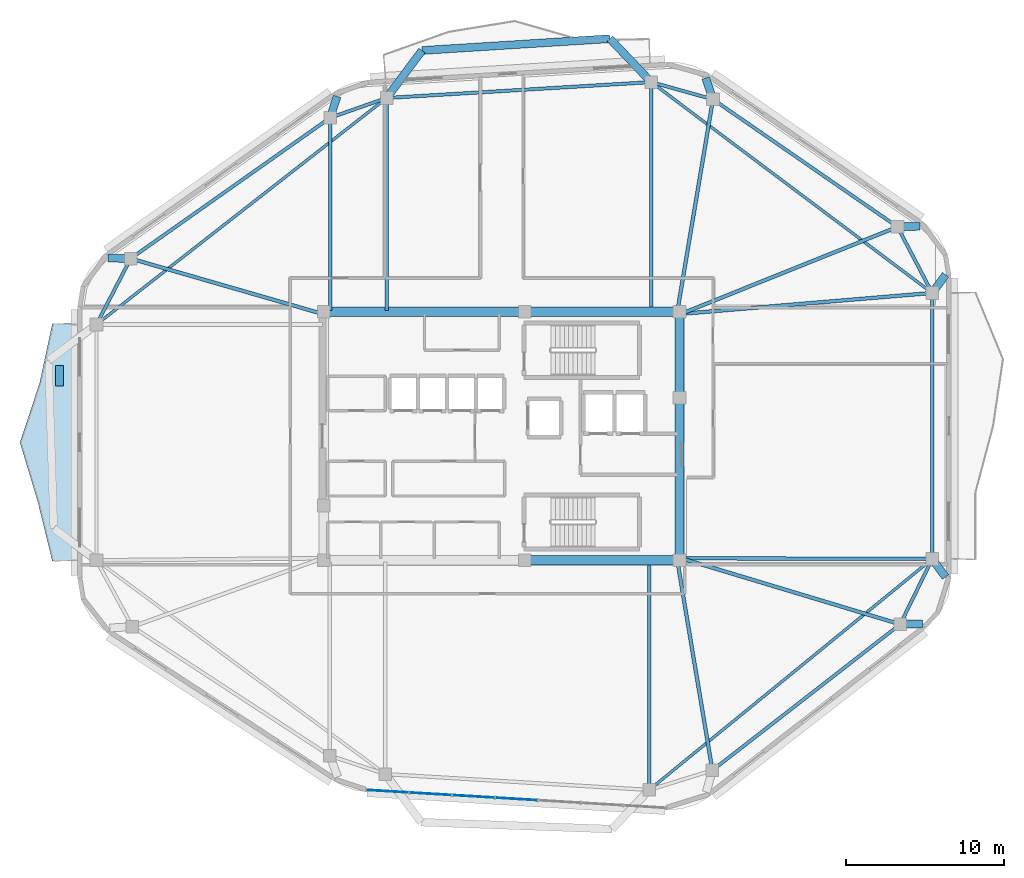
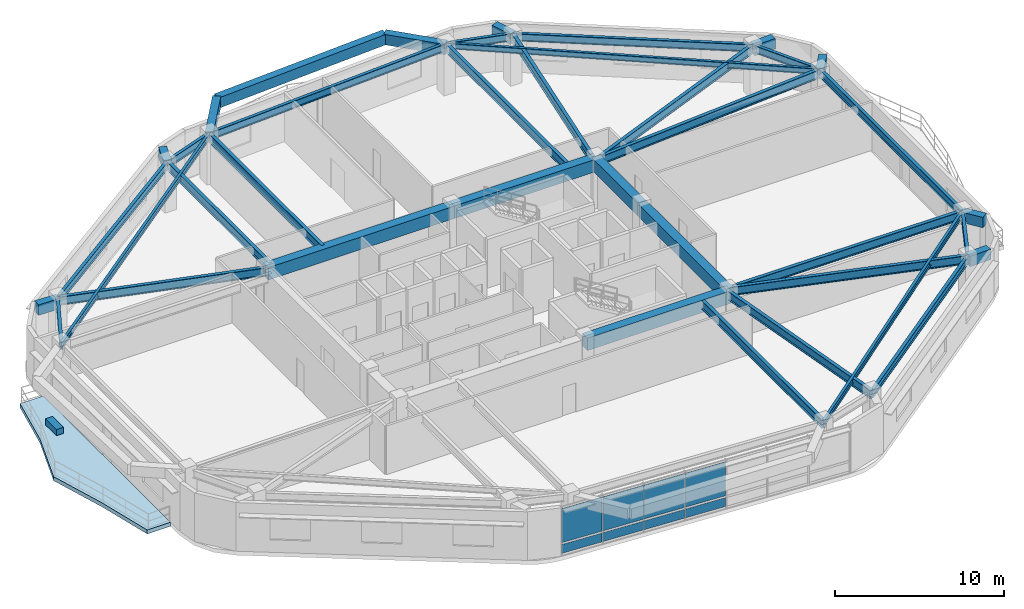
# One storey, part 5 of 12: 39 beams, 9 plates, 1 slab, 1 element without a shape of its own.
"""IFC4 building model written with IfcOpenShell, lengths in metres."""

import ifcopenshell
import ifcopenshell.guid

model = None  # the IFC model being written
_history = None  # IfcOwnerHistory: only IFC2X3 demands one
_inside = {}  # id of a spatial element -> (the spatial element, [elements in it])
_under = {}  # id of a project, library or spatial element -> (it, [spatial elements below it])
_declared = {}  # id of a project -> (the project, [libraries it declares])
_typed = {}  # id of a type object -> (the type object, [elements of that type])
_made_of = {}  # id of a material, layer set ... -> (it, [elements and type objects made of it])


def new_model(schema):
    """Start an empty IFC model of exactly this schema.

    Asked for "IFC4X3", IfcOpenShell would pick the latest addendum, in which some entities
    have other attributes; the version numbers below select the first issue.
    IFC2X3 requires an IfcOwnerHistory on every rooted entity: one is made here for all.
    """
    global model, _history
    if schema == "IFC4X3":
        model = ifcopenshell.file(schema_version=(4, 3, 0, 0))
    else:
        model = ifcopenshell.file(schema=schema)
    _inside.clear()
    _under.clear()
    _declared.clear()
    _typed.clear()
    _made_of.clear()
    _history = None
    if model.schema == "IFC2X3":
        org = make("IfcOrganization", Name="unknown")
        user = make(
            "IfcPersonAndOrganization",
            ThePerson=make("IfcPerson", FamilyName="unknown"),
            TheOrganization=org,
        )
        app = make(
            "IfcApplication",
            ApplicationDeveloper=org,
            Version="unknown",
            ApplicationFullName="unknown",
            ApplicationIdentifier="unknown",
        )
        _history = make(
            "IfcOwnerHistory",
            OwningUser=user,
            OwningApplication=app,
            ChangeAction="ADDED",
            CreationDate=0,
        )
    return model


def make(cls, **values):
    """One entity of the class cls with the attributes given. An attribute that is None is left unset."""
    return model.create_entity(
        cls, **{name: value for name, value in values.items() if value is not None}
    )


def rooted(cls, **values):
    """An entity with a GlobalId (a new one), such as an element, a storey or a relation."""
    return make(cls, GlobalId=ifcopenshell.guid.new(), OwnerHistory=_history, **values)


def si_unit(unit_type, name, prefix=None):
    """IfcSIUnit, for example si_unit("LENGTHUNIT", "METRE", prefix="MILLI")."""
    return make("IfcSIUnit", UnitType=unit_type, Prefix=prefix, Name=name)


def assignment(units):
    """IfcUnitAssignment: the units of a project."""
    return None if units is None else make("IfcUnitAssignment", Units=units)


def point(xyz):
    """IfcCartesianPoint."""
    return None if xyz is None else make("IfcCartesianPoint", Coordinates=xyz)


def direction(xyz):
    """IfcDirection."""
    return None if xyz is None else make("IfcDirection", DirectionRatios=xyz)


def frame(location, z_axis=None, x_axis=None):
    """IfcAxis2Placement3D, a coordinate frame: its origin and axes. An axis left out is left unset."""
    return make(
        "IfcAxis2Placement3D",
        Location=point(location),
        Axis=direction(z_axis),
        RefDirection=direction(x_axis),
    )


def frame_2d(location, x_axis=None):
    """IfcAxis2Placement2D, a coordinate frame in the plane: its origin and x axis."""
    return make(
        "IfcAxis2Placement2D", Location=point(location), RefDirection=direction(x_axis)
    )


def origin():
    """The frame at (0, 0, 0) with its axes left unset."""
    return frame((0.0, 0.0, 0.0))


def origin_2d():
    """The frame at (0, 0) in the plane with its x axis left unset."""
    return frame_2d((0.0, 0.0))


def place(relative_to, where):
    """IfcLocalPlacement: puts the frame where relative to a parent placement (None: the world)."""
    return make(
        "IfcLocalPlacement", PlacementRelTo=relative_to, RelativePlacement=where
    )


def context(
    kind, dimensions, precision=None, world=None, true_north=None, identifier=None
):
    """IfcGeometricRepresentationContext, for example the 3D "Model" context."""
    return make(
        "IfcGeometricRepresentationContext",
        ContextIdentifier=identifier,
        ContextType=kind,
        CoordinateSpaceDimension=dimensions,
        Precision=precision,
        WorldCoordinateSystem=world,
        TrueNorth=true_north,
    )


def subcontext(parent, identifier, kind, view, scale=None):
    """IfcGeometricRepresentationSubContext, for example "Body" below "Model"."""
    return make(
        "IfcGeometricRepresentationSubContext",
        ContextIdentifier=identifier,
        ContextType=kind,
        ParentContext=parent,
        TargetScale=scale,
        TargetView=view,
    )


def project(units=None, contexts=None):
    """IfcProject with its units and contexts."""
    return rooted(
        "IfcProject",
        Name="project",
        RepresentationContexts=contexts,
        UnitsInContext=assignment(units),
    )


def spatial(cls, under=None, at=None, **own):
    """A site, building, storey or space (cls), placed at a placement, below another one or the project."""
    s = rooted(cls, ObjectPlacement=at, **own)
    if under is not None:
        _under.setdefault(under.id(), (under, []))[1].append(s)
    return s


def polyline(points):
    """IfcPolyline through the points."""
    return make("IfcPolyline", Points=[point(p) for p in points])


def profile(cls, at=None, kind="AREA", **sizes):
    """A parametric profile (cls). Its sizes go by their IFC names, for example OverallWidth=200.0."""
    return make(cls, ProfileType=kind, Position=at, **sizes)


def rectangle(**sizes):
    """IfcRectangleProfileDef."""
    return profile("IfcRectangleProfileDef", **sizes)


def i_section(**sizes):
    """IfcIShapeProfileDef."""
    return profile("IfcIShapeProfileDef", **sizes)


def outline(outer, holes=None, kind="AREA"):
    """IfcArbitraryClosedProfileDef: a profile drawn as a closed curve; with holes, ...WithVoids."""
    if holes is None:
        return make("IfcArbitraryClosedProfileDef", ProfileType=kind, OuterCurve=outer)
    return make(
        "IfcArbitraryProfileDefWithVoids",
        ProfileType=kind,
        OuterCurve=outer,
        InnerCurves=holes,
    )


def extrude(swept, where, along, depth):
    """IfcExtrudedAreaSolid: the profile swept, set in the frame where, extruded along a direction by depth."""
    return make(
        "IfcExtrudedAreaSolid",
        SweptArea=swept,
        Position=where,
        ExtrudedDirection=direction(along),
        Depth=depth,
    )


def shape(context_of_items, identifier, shape_type, items):
    """IfcShapeRepresentation: the items that make up one representation, for example the "Body"."""
    return make(
        "IfcShapeRepresentation",
        ContextOfItems=context_of_items,
        RepresentationIdentifier=identifier,
        RepresentationType=shape_type,
        Items=items,
    )


def material(Name=None, Category=None):
    """IfcMaterial."""
    return make("IfcMaterial", Name=Name, Category=Category)


def layer(
    of_material, thickness, ventilated=None, Name=None, Category=None, Priority=None
):
    """IfcMaterialLayer: one layer of a wall or slab, of a material (None: an air gap)."""
    return make(
        "IfcMaterialLayer",
        Material=of_material,
        LayerThickness=thickness,
        IsVentilated=ventilated,
        Name=Name,
        Category=Category,
        Priority=Priority,
    )


def layer_set(layers, Name=None):
    """IfcMaterialLayerSet."""
    return make("IfcMaterialLayerSet", MaterialLayers=layers, LayerSetName=Name)


def material_profile(
    of_material, cross_section, Name=None, Category=None, Priority=None
):
    """IfcMaterialProfile: a cross section and its material."""
    return make(
        "IfcMaterialProfile",
        Name=Name,
        Material=of_material,
        Profile=cross_section,
        Priority=Priority,
        Category=Category,
    )


def profile_set(profiles, Name=None, composite=None):
    """IfcMaterialProfileSet."""
    return make(
        "IfcMaterialProfileSet",
        Name=Name,
        MaterialProfiles=profiles,
        CompositeProfile=composite,
    )


def made_of(thing, what):
    """Note that an element or type object is made of a material, layer set ...; save() writes the relation."""
    if what is not None:
        _made_of.setdefault(what.id(), (what, []))[1].append(thing)
    return thing


def type_object(cls, material=None, **own):
    """A type object (cls), such as IfcWallType, which elements share."""
    return made_of(rooted(cls, **own), material)


def element(
    cls,
    number,
    at=None,
    inside=None,
    cuts=None,
    type_object=None,
    material=None,
    context=None,
    identifier="Body",
    shape_type=None,
    held_by="IfcProductDefinitionShape",
    body=None,
    shapes=None,
    **own,
):
    """One element of the class cls, such as IfcWall. Its Tag is "e" and its number.

    at: its placement. inside: the storey or other place that contains it. cuts: it is an
    opening in that element (IfcRelVoidsElement). A single representation is given by context,
    identifier, shape_type and body (its items); several are given by shapes. held_by: the class
    of the entity that holds the representations. save() writes the other relations.
    """
    e = rooted(cls, Tag="e%d" % number, ObjectPlacement=at, **own)
    if body is not None:
        shapes = [shape(context, identifier, shape_type, body)]
    if shapes is not None:
        e.Representation = make(held_by, Representations=shapes)
    if inside is not None:
        _inside.setdefault(inside.id(), (inside, []))[1].append(e)
    if cuts is not None:
        rooted(
            "IfcRelVoidsElement", RelatingBuildingElement=cuts, RelatedOpeningElement=e
        )
    if type_object is not None:
        _typed.setdefault(type_object.id(), (type_object, []))[1].append(e)
    return made_of(e, material)


def aggregate(whole, parts):
    """IfcRelAggregates: a whole, such as a stair, and the parts it consists of."""
    return rooted("IfcRelAggregates", RelatingObject=whole, RelatedObjects=parts)


def save(model, path):
    """Write the relations noted so far, then the file.

    IfcRelAggregates (storeys below a building ...), IfcRelContainedInSpatialStructure (elements
    in a storey), IfcRelDefinesByType, IfcRelAssociatesMaterial and IfcRelDeclares: one each for
    every whole, place, type object, material and project.
    """
    for whole, parts in _under.values():
        aggregate(whole, parts)
    for where, things in _inside.values():
        rooted(
            "IfcRelContainedInSpatialStructure",
            RelatedElements=things,
            RelatingStructure=where,
        )
    for kind, things in _typed.values():
        rooted("IfcRelDefinesByType", RelatedObjects=things, RelatingType=kind)
    for what, things in _made_of.values():
        rooted("IfcRelAssociatesMaterial", RelatedObjects=things, RelatingMaterial=what)
    for by, libraries in _declared.values():
        rooted("IfcRelDeclares", RelatingContext=by, RelatedDefinitions=libraries)
    model.write(path)


model = new_model("IFC4")

# Units and contexts
model_context = context("Model", 3, precision=1e-05, world=origin(), true_north=direction((0.0, 1.0)))
body_context = subcontext(model_context, "Body", "Model", "MODEL_VIEW")
ifc_project = project(units=[si_unit("LENGTHUNIT", "METRE"), si_unit("AREAUNIT", "SQUARE_METRE"), si_unit("VOLUMEUNIT", "CUBIC_METRE"), si_unit("PLANEANGLEUNIT", "RADIAN"), si_unit("MASSUNIT", "GRAM", prefix="KILO")], contexts=[model_context])

# Site, building, storey
site_placement = place(None, origin())
site = spatial("IfcSite", under=ifc_project, at=site_placement, CompositionType="ELEMENT")
building_placement = place(site_placement, origin())
building = spatial("IfcBuilding", under=site, at=building_placement, Name="Zulverin Broadcast Headquarters", CompositionType="ELEMENT")
storey_placement = place(building_placement, frame((0.0, 0.0, 255.39990234375)))
storey = spatial("IfcBuildingStorey", under=building, at=storey_placement, Name="L65", CompositionType="ELEMENT", Elevation=255.39990234375)

# Beams
ifc_material_1 = material(Name="Concrete C60/75", Category="concrete")
ifc_material_profile_1 = material_profile(ifc_material_1, rectangle(XDim=0.60009765625, YDim=0.89990234375, at=origin_2d()), Name="Concrete C60/75", Category="concrete")
ifc_profile_set_1 = profile_set([ifc_material_profile_1], Name="Concrete C60/75")
beam_type_1 = type_object("IfcBeamType", Name="BM-CB-600x900", PredefinedType="LINTEL", material=ifc_profile_set_1)
beam_1_placement = place(storey_placement, frame((38.449951171875, 17.324951171875, 3.06005859375), z_axis=(1.0, 0.0, 0.0), x_axis=(0.0, 1.0, 0.0)))
element("IfcBeam", 1, at=beam_1_placement, inside=storey, type_object=beam_type_1, Name="L65 Core Coupling Girder K02-K03", PredefinedType="LINTEL", context=body_context, shape_type="SweptSolid", body=[
    extrude(rectangle(XDim=0.60009765625, YDim=0.89990234375, at=origin_2d()), origin(), (0.0, 0.0, 1.0), 9.824951171875),
])
beam_2_placement = place(storey_placement, frame((48.27490234375, 17.324951171875, 3.06005859375), z_axis=(0.0, 1.0, 0.0), x_axis=(-1.0, 0.0, 0.0)))
element("IfcBeam", 2, at=beam_2_placement, inside=storey, type_object=beam_type_1, Name="L65 Core Coupling Girder K03-K04", PredefinedType="LINTEL", context=body_context, shape_type="SweptSolid", body=[
    extrude(rectangle(XDim=0.60009765625, YDim=0.89990234375, at=origin_2d()), origin(), (0.0, 0.0, 1.0), 10.295166015625),
])
beam_3_placement = place(storey_placement, frame((48.27490234375, 27.6201171875, 3.06005859375), z_axis=(0.0, 1.0, 0.0), x_axis=(-1.0, 0.0, 0.0)))
element("IfcBeam", 3, at=beam_3_placement, inside=storey, type_object=beam_type_1, Name="L65 Core Coupling Girder K04-K05", PredefinedType="LINTEL", context=body_context, shape_type="SweptSolid", body=[
    extrude(rectangle(XDim=0.60009765625, YDim=0.89990234375, at=origin_2d()), origin(), (0.0, 0.0, 1.0), 5.454833984375),
])
beam_4_placement = place(storey_placement, frame((48.27490234375, 33.074951171875, 3.06005859375), z_axis=(-1.0, 0.0, 0.0), x_axis=(0.0, -1.0, 0.0)))
element("IfcBeam", 4, at=beam_4_placement, inside=storey, type_object=beam_type_1, Name="L65 Core Coupling Girder K05-K06", PredefinedType="LINTEL", context=body_context, shape_type="SweptSolid", body=[
    extrude(rectangle(XDim=0.60009765625, YDim=0.89990234375, at=origin_2d()), origin(), (0.0, 0.0, 1.0), 9.824951171875),
])
beam_5_placement = place(storey_placement, frame((38.449951171875, 33.074951171875, 3.06005859375), z_axis=(-1.0, 0.0, 0.0), x_axis=(0.0, -1.0, 0.0)))
element("IfcBeam", 5, at=beam_5_placement, inside=storey, type_object=beam_type_1, Name="L65 Core Coupling Girder K06-K07", PredefinedType="LINTEL", context=body_context, shape_type="SweptSolid", body=[
    extrude(rectangle(XDim=0.60009765625, YDim=0.89990234375, at=origin_2d()), origin(), (0.0, 0.0, 1.0), 12.724853515625),
])
ifc_material_2 = material(Name="Concrete C40/50", Category="concrete")
ifc_material_profile_2 = material_profile(ifc_material_2, rectangle(XDim=0.5, YDim=0.75, at=origin_2d()), Name="Concrete C40/50", Category="concrete")
ifc_profile_set_2 = profile_set([ifc_material_profile_2], Name="Concrete C40/50")
beam_type_2 = type_object("IfcBeamType", Name="BM-RC-500x750", PredefinedType="BEAM", material=ifc_profile_set_2)
beam_6_placement = place(storey_placement, frame((62.272216796875, 13.262451171875, 3.135009765625), z_axis=(0.999706131466, 0.024241507969, 0.0), x_axis=(-0.024241507969, 0.999706131466, 0.0)))
element("IfcBeam", 6, at=beam_6_placement, inside=storey, type_object=beam_type_2, Name="L66 Plate Overhang Back-Spanned Beam OVR-04", PredefinedType="BEAM", context=body_context, shape_type="SweptSolid", body=[
    extrude(rectangle(XDim=0.5, YDim=0.75, at=origin_2d()), origin(), (0.0, 0.0, 1.0), 1.43017578125),
])
beam_7_placement = place(storey_placement, frame((64.300048828125, 17.40771484375, 3.135009765625), z_axis=(0.594357454608, -0.80420097995, 0.0), x_axis=(0.80420097995, 0.594357454608, 0.0)))
element("IfcBeam", 7, at=beam_7_placement, inside=storey, type_object=beam_type_2, Name="L66 Plate Overhang Back-Spanned Beam OVR-05", PredefinedType="BEAM", context=body_context, shape_type="SweptSolid", body=[
    extrude(rectangle(XDim=0.5, YDim=0.75, at=origin_2d()), origin(), (0.0, 0.0, 1.0), 1.429931640625),
])
beam_8_placement = place(storey_placement, frame((64.300048828125, 34.275634765625, 3.135009765625), z_axis=(0.594275850381, 0.804261284443, 0.0), x_axis=(-0.804261284443, 0.594275850381, 0.0)))
element("IfcBeam", 8, at=beam_8_placement, inside=storey, type_object=beam_type_2, Name="L66 Plate Overhang Back-Spanned Beam OVR-06", PredefinedType="BEAM", context=body_context, shape_type="SweptSolid", body=[
    extrude(rectangle(XDim=0.5, YDim=0.75, at=origin_2d()), origin(), (0.0, 0.0, 1.0), 1.43017578125),
])
for number, where, z_axis, x_axis, name in (
    (9, (62.102783203125, 38.465087890625, 3.135009765625), (0.99949018153, 0.031927684309, 0.0), (-0.031927684309, 0.99949018153, 0.0), "L66 Plate Overhang Back-Spanned Beam OVR-07"),
    (10, (50.39794921875, 46.554443359375, 3.135009765625), (-0.323542873341, 0.946213511376, 0.0), (-0.946213511376, -0.323542873341, 0.0), "L66 Plate Overhang Back-Spanned Beam OVR-08"),
):
    element("IfcBeam", number, at=place(storey_placement, frame(where, z_axis=z_axis, x_axis=x_axis)), inside=storey, type_object=beam_type_2, Name=name, PredefinedType="BEAM", context=body_context, shape_type="SweptSolid", body=[
        extrude(rectangle(XDim=0.5, YDim=0.75, at=origin_2d()), origin(), (0.0, 0.0, 1.0), 1.429931640625),
    ])
beam_9_placement = place(storey_placement, frame((26.11474609375, 45.383544921875, 3.135009765625), z_axis=(0.314280982662, 0.94933000792, 0.0), x_axis=(-0.94933000792, 0.314280982662, 0.0)))
element("IfcBeam", 11, at=beam_9_placement, inside=storey, type_object=beam_type_2, Name="L66 Plate Overhang Back-Spanned Beam OVR-11", PredefinedType="BEAM", context=body_context, shape_type="SweptSolid", body=[
    extrude(rectangle(XDim=0.5, YDim=0.75, at=origin_2d()), origin(), (0.0, 0.0, 1.0), 1.43017578125),
])
beam_10_placement = place(storey_placement, frame((13.46728515625, 36.457763671875, 3.135009765625), z_axis=(-0.999761201155, 0.02185270385, 0.0), x_axis=(-0.02185270385, -0.999761201155, 0.0)))
element("IfcBeam", 12, at=beam_10_placement, inside=storey, type_object=beam_type_2, Name="L66 Plate Overhang Back-Spanned Beam OVR-12", PredefinedType="BEAM", context=body_context, shape_type="SweptSolid", body=[
    extrude(rectangle(XDim=0.5, YDim=0.75, at=origin_2d()), origin(), (0.0, 0.0, 1.0), 1.429931640625),
])
beam_11_placement = place(storey_placement, frame((46.4814453125, 47.6484375, 3.135009765625), z_axis=(-0.689382393643, 0.724397622397, 0.0), x_axis=(-0.724397622397, -0.689382393643, 0.0)))
element("IfcBeam", 13, at=beam_11_placement, inside=storey, type_object=beam_type_2, Name="L66 Balcony Column-Framed Cantilever BAL_N-1", PredefinedType="BEAM", context=body_context, shape_type="SweptSolid", body=[
    extrude(rectangle(XDim=0.5, YDim=0.75, at=origin_2d()), origin(), (0.0, 0.0, 1.0), 3.800048828125),
])
beam_12_placement = place(storey_placement, frame((29.70068359375, 46.64111328125, 3.135009765625), z_axis=(0.597773649055, 0.801664932809, 0.0), x_axis=(-0.801664932809, 0.597773649055, 0.0)))
element("IfcBeam", 14, at=beam_12_placement, inside=storey, type_object=beam_type_2, Name="L66 Balcony Column-Framed Cantilever BAL_N-2", PredefinedType="BEAM", context=body_context, shape_type="SweptSolid", body=[
    extrude(rectangle(XDim=0.5, YDim=0.75, at=origin_2d()), origin(), (0.0, 0.0, 1.0), 3.758544921875),
])
beam_13_placement = place(storey_placement, frame((43.86181640625, 50.401123046875, 3.135009765625), z_axis=(-0.998041182389, -0.062560356897, 0.0), x_axis=(0.062560356897, -0.998041182389, 0.0)))
element("IfcBeam", 15, at=beam_13_placement, inside=storey, type_object=beam_type_2, Name="L66 Balcony Outer Edge Trimmer Beam BAL_N", PredefinedType="BEAM", context=body_context, shape_type="SweptSolid", body=[
    extrude(rectangle(XDim=0.5, YDim=0.75, at=origin_2d()), origin(), (0.0, 0.0, 1.0), 11.937744140625),
])
ifc_material_3 = material(Name="Structural steel S355JR", Category="steel")
ifc_material_profile_3 = material_profile(ifc_material_3, i_section(OverallWidth=0.179443359375, OverallDepth=0.412841796875, WebThickness=0.009521484375, FlangeThickness=0.01611328125, at=origin_2d()), Name="Structural steel S355JR", Category="steel")
ifc_profile_set_3 = profile_set([ifc_material_profile_3], Name="Structural steel S355JR")
beam_type_3 = type_object("IfcBeamType", Name="BM-UB-406", PredefinedType="JOIST", material=ifc_profile_set_3)
beam_14_placement = place(storey_placement, frame((46.3515625, 2.759521484375, 3.3037109375), z_axis=(0.77473799882, 0.632282399869, 0.0), x_axis=(-0.632282399869, 0.77473799882, 0.0)))
element("IfcBeam", 16, at=beam_14_placement, inside=storey, type_object=beam_type_3, Name="L65 Chordal Floor Joist J-01", PredefinedType="JOIST", context=body_context, shape_type="SweptSolid", body=[
    extrude(i_section(OverallWidth=0.179443359375, OverallDepth=0.412841796875, WebThickness=0.009521484375, FlangeThickness=0.01611328125, at=origin_2d()), origin(), (0.0, 0.0, 1.0), 23.167236328125),
])
beam_15_placement = place(storey_placement, frame((64.300048828125, 34.275634765625, 3.3037109375), z_axis=(-0.799809280949, 0.600254207905, 0.0), x_axis=(-0.600254207905, -0.799809280949, 0.0)))
element("IfcBeam", 17, at=beam_15_placement, inside=storey, type_object=beam_type_3, Name="L65 Chordal Floor Joist J-02", PredefinedType="JOIST", context=body_context, shape_type="SweptSolid", body=[
    extrude(i_section(OverallWidth=0.179443359375, OverallDepth=0.412841796875, WebThickness=0.009521484375, FlangeThickness=0.01611328125, at=origin_2d()), origin(), (0.0, 0.0, 1.0), 22.278564453125),
])
beam_16_placement = place(storey_placement, frame((29.70068359375, 46.64111328125, 3.3037109375), z_axis=(-0.788227438956, -0.615384030079, 0.0), x_axis=(0.615384030079, -0.788227438956, 0.0)))
element("IfcBeam", 18, at=beam_16_placement, inside=storey, type_object=beam_type_3, Name="L65 Chordal Floor Joist J-03", PredefinedType="JOIST", context=body_context, shape_type="SweptSolid", body=[
    extrude(i_section(OverallWidth=0.179443359375, OverallDepth=0.412841796875, WebThickness=0.009521484375, FlangeThickness=0.01611328125, at=origin_2d()), origin(), (0.0, 0.0, 1.0), 23.34423828125),
])
ifc_material_profile_4 = material_profile(ifc_material_3, i_section(OverallWidth=0.2119140625, OverallDepth=0.54443359375, WebThickness=0.0126953125, FlangeThickness=0.021240234375, at=origin_2d()), Name="Structural steel S355JR", Category="steel")
ifc_profile_set_4 = profile_set([ifc_material_profile_4], Name="Structural steel S355JR")
beam_type_4 = type_object("IfcBeamType", Name="BM-UB-533", PredefinedType="SPANDREL", material=ifc_profile_set_4)
beam_17_placement = place(storey_placement, frame((50.361083984375, 4.001708984375, 3.23779296875), z_axis=(0.789463732329, 0.613797210271, 0.0), x_axis=(-0.613797210271, 0.789463732329, 0.0)))
element("IfcBeam", 19, at=beam_17_placement, inside=storey, type_object=beam_type_4, Name="L65 Perimeter Spandrel Beam SP-03", PredefinedType="SPANDREL", context=body_context, shape_type="SweptSolid", body=[
    extrude(i_section(OverallWidth=0.2119140625, OverallDepth=0.54443359375, WebThickness=0.0126953125, FlangeThickness=0.021240234375, at=origin_2d()), origin(), (0.0, 0.0, 1.0), 15.087646484375),
])
beam_18_placement = place(storey_placement, frame((62.272216796875, 13.262451171875, 3.23779296875), z_axis=(0.439430258265, 0.898276710219, 0.0), x_axis=(-0.898276710219, 0.439430258265, 0.0)))
element("IfcBeam", 20, at=beam_18_placement, inside=storey, type_object=beam_type_4, Name="L65 Perimeter Spandrel Beam SP-04", PredefinedType="SPANDREL", context=body_context, shape_type="SweptSolid", body=[
    extrude(i_section(OverallWidth=0.2119140625, OverallDepth=0.54443359375, WebThickness=0.0126953125, FlangeThickness=0.021240234375, at=origin_2d()), origin(), (0.0, 0.0, 1.0), 4.61474609375),
])
beam_19_placement = place(storey_placement, frame((64.300048828125, 17.40771484375, 3.23779296875), z_axis=(0.0, 1.0, 0.0), x_axis=(-1.0, 0.0, 0.0)))
element("IfcBeam", 21, at=beam_19_placement, inside=storey, type_object=beam_type_4, Name="L65 Perimeter Spandrel Beam SP-05", PredefinedType="SPANDREL", context=body_context, shape_type="SweptSolid", body=[
    extrude(i_section(OverallWidth=0.2119140625, OverallDepth=0.54443359375, WebThickness=0.0126953125, FlangeThickness=0.021240234375, at=origin_2d()), origin(), (0.0, 0.0, 1.0), 16.867919921875),
])
beam_20_placement = place(storey_placement, frame((64.300048828125, 34.275634765625, 3.23779296875), z_axis=(-0.464469748171, 0.885588986513, 0.0), x_axis=(-0.885588986513, -0.464469748171, 0.0)))
element("IfcBeam", 22, at=beam_20_placement, inside=storey, type_object=beam_type_4, Name="L65 Perimeter Spandrel Beam SP-06", PredefinedType="SPANDREL", context=body_context, shape_type="SweptSolid", body=[
    extrude(i_section(OverallWidth=0.2119140625, OverallDepth=0.54443359375, WebThickness=0.0126953125, FlangeThickness=0.021240234375, at=origin_2d()), origin(), (0.0, 0.0, 1.0), 4.730712890625),
])
beam_21_placement = place(storey_placement, frame((62.102783203125, 38.465087890625, 3.23779296875), z_axis=(-0.822652126292, 0.568545054597, 0.0), x_axis=(-0.568545054597, -0.822652126292, 0.0)))
element("IfcBeam", 23, at=beam_21_placement, inside=storey, type_object=beam_type_4, Name="L65 Perimeter Spandrel Beam SP-07", PredefinedType="SPANDREL", context=body_context, shape_type="SweptSolid", body=[
    extrude(i_section(OverallWidth=0.2119140625, OverallDepth=0.54443359375, WebThickness=0.0126953125, FlangeThickness=0.021240234375, at=origin_2d()), origin(), (0.0, 0.0, 1.0), 14.228271484375),
])
beam_22_placement = place(storey_placement, frame((50.39794921875, 46.554443359375, 3.23779296875), z_axis=(-0.963131566005, 0.26903082828, 0.0), x_axis=(-0.26903082828, -0.963131566005, 0.0)))
element("IfcBeam", 24, at=beam_22_placement, inside=storey, type_object=beam_type_4, Name="L65 Perimeter Spandrel Beam SP-08", PredefinedType="SPANDREL", context=body_context, shape_type="SweptSolid", body=[
    extrude(i_section(OverallWidth=0.2119140625, OverallDepth=0.54443359375, WebThickness=0.0126953125, FlangeThickness=0.021240234375, at=origin_2d()), origin(), (0.0, 0.0, 1.0), 4.06640625),
])
beam_23_placement = place(storey_placement, frame((46.4814453125, 47.6484375, 3.23779296875), z_axis=(-0.99820314332, -0.059920653088, 0.0), x_axis=(0.059920653088, -0.99820314332, 0.0)))
element("IfcBeam", 25, at=beam_23_placement, inside=storey, type_object=beam_type_4, Name="L65 Perimeter Spandrel Beam SP-09", PredefinedType="SPANDREL", context=body_context, shape_type="SweptSolid", body=[
    extrude(i_section(OverallWidth=0.2119140625, OverallDepth=0.54443359375, WebThickness=0.0126953125, FlangeThickness=0.021240234375, at=origin_2d()), origin(), (0.0, 0.0, 1.0), 16.81103515625),
])
beam_24_placement = place(storey_placement, frame((29.70068359375, 46.64111328125, 3.23779296875), z_axis=(-0.943653845921, -0.330934161243, 0.0), x_axis=(0.330934161243, -0.943653845921, 0.0)))
element("IfcBeam", 26, at=beam_24_placement, inside=storey, type_object=beam_type_4, Name="L65 Perimeter Spandrel Beam SP-10", PredefinedType="SPANDREL", context=body_context, shape_type="SweptSolid", body=[
    extrude(i_section(OverallWidth=0.2119140625, OverallDepth=0.54443359375, WebThickness=0.0126953125, FlangeThickness=0.021240234375, at=origin_2d()), origin(), (0.0, 0.0, 1.0), 3.800048828125),
])
beam_25_placement = place(storey_placement, frame((26.11474609375, 45.383544921875, 3.23779296875), z_axis=(-0.817023806154, -0.576603937012, 0.0), x_axis=(0.576603937012, -0.817023806154, 0.0)))
element("IfcBeam", 27, at=beam_25_placement, inside=storey, type_object=beam_type_4, Name="L65 Perimeter Spandrel Beam SP-11", PredefinedType="SPANDREL", context=body_context, shape_type="SweptSolid", body=[
    extrude(i_section(OverallWidth=0.2119140625, OverallDepth=0.54443359375, WebThickness=0.0126953125, FlangeThickness=0.021240234375, at=origin_2d()), origin(), (0.0, 0.0, 1.0), 15.47998046875),
])
beam_26_placement = place(storey_placement, frame((13.46728515625, 36.457763671875, 3.23779296875), z_axis=(-0.460082658911, -0.887876087621, 0.0), x_axis=(0.887876087621, -0.460082658911, 0.0)))
element("IfcBeam", 28, at=beam_26_placement, inside=storey, type_object=beam_type_4, Name="L65 Perimeter Spandrel Beam SP-12", PredefinedType="SPANDREL", context=body_context, shape_type="SweptSolid", body=[
    extrude(i_section(OverallWidth=0.2119140625, OverallDepth=0.54443359375, WebThickness=0.0126953125, FlangeThickness=0.021240234375, at=origin_2d()), origin(), (0.0, 0.0, 1.0), 4.71044921875),
])
ifc_material_profile_5 = material_profile(ifc_material_3, i_section(OverallWidth=0.230224609375, OverallDepth=0.6171875, WebThickness=0.01318359375, FlangeThickness=0.022216796875, at=origin_2d()), Name="Structural steel S355JR", Category="steel")
ifc_profile_set_5 = profile_set([ifc_material_profile_5], Name="Structural steel S355JR")
beam_type_5 = type_object("IfcBeamType", Name="BM-UB-610", PredefinedType="BEAM", material=ifc_profile_set_5)
beam_27_placement = place(storey_placement, frame((46.3515625, 17.22509765625, 3.201416015625), z_axis=(0.0, -1.0, 0.0), x_axis=(1.0, 0.0, 0.0)))
element("IfcBeam", 29, at=beam_27_placement, inside=storey, type_object=beam_type_5, Name="L65 Radial Primary Floor Beam RB-02", PredefinedType="BEAM", context=body_context, shape_type="SweptSolid", body=[
    extrude(i_section(OverallWidth=0.230224609375, OverallDepth=0.6171875, WebThickness=0.01318359375, FlangeThickness=0.022216796875, at=origin_2d()), origin(), (0.0, 0.0, 1.0), 14.465576171875),
])
beam_28_placement = place(storey_placement, frame((48.14990234375, 17.22509765625, 3.201416015625), z_axis=(0.1649275445, -0.986305685407, 0.0), x_axis=(0.986305685407, 0.1649275445, 0.0)))
element("IfcBeam", 30, at=beam_28_placement, inside=storey, type_object=beam_type_5, Name="L65 Radial Primary Floor Beam RB-03", PredefinedType="BEAM", context=body_context, shape_type="SweptSolid", body=[
    extrude(i_section(OverallWidth=0.230224609375, OverallDepth=0.6171875, WebThickness=0.01318359375, FlangeThickness=0.022216796875, at=origin_2d()), origin(), (0.0, 0.0, 1.0), 13.406982421875),
])
beam_29_placement = place(storey_placement, frame((48.375, 17.449951171875, 3.201416015625), z_axis=(0.957477907331, -0.288506597799, 0.0), x_axis=(0.288506597799, 0.957477907331, 0.0)))
element("IfcBeam", 31, at=beam_29_placement, inside=storey, type_object=beam_type_5, Name="L65 Radial Primary Floor Beam RB-04", PredefinedType="BEAM", context=body_context, shape_type="SweptSolid", body=[
    extrude(i_section(OverallWidth=0.230224609375, OverallDepth=0.6171875, WebThickness=0.01318359375, FlangeThickness=0.022216796875, at=origin_2d()), origin(), (0.0, 0.0, 1.0), 14.514404296875),
])
beam_30_placement = place(storey_placement, frame((48.375, 17.449951171875, 3.201416015625), z_axis=(0.999996482951, -0.002652185248, 0.0), x_axis=(0.002652185248, 0.999996482951, 0.0)))
element("IfcBeam", 32, at=beam_30_placement, inside=storey, type_object=beam_type_5, Name="L65 Radial Primary Floor Beam RB-05", PredefinedType="BEAM", context=body_context, shape_type="SweptSolid", body=[
    extrude(i_section(OverallWidth=0.230224609375, OverallDepth=0.6171875, WebThickness=0.01318359375, FlangeThickness=0.022216796875, at=origin_2d()), origin(), (0.0, 0.0, 1.0), 15.925048828125),
])
beam_31_placement = place(storey_placement, frame((48.375, 32.949951171875, 3.201416015625), z_axis=(0.996553024533, 0.082958238256, 0.0), x_axis=(-0.082958238256, 0.996553024533, 0.0)))
element("IfcBeam", 33, at=beam_31_placement, inside=storey, type_object=beam_type_5, Name="L65 Radial Primary Floor Beam RB-06", PredefinedType="BEAM", context=body_context, shape_type="SweptSolid", body=[
    extrude(i_section(OverallWidth=0.230224609375, OverallDepth=0.6171875, WebThickness=0.01318359375, FlangeThickness=0.022216796875, at=origin_2d()), origin(), (0.0, 0.0, 1.0), 15.980224609375),
])
beam_32_placement = place(storey_placement, frame((48.375, 32.949951171875, 3.201416015625), z_axis=(0.927915690744, 0.37279011638, 0.0), x_axis=(-0.37279011638, 0.927915690744, 0.0)))
element("IfcBeam", 34, at=beam_32_placement, inside=storey, type_object=beam_type_5, Name="L65 Radial Primary Floor Beam RB-07", PredefinedType="BEAM", context=body_context, shape_type="SweptSolid", body=[
    extrude(i_section(OverallWidth=0.230224609375, OverallDepth=0.6171875, WebThickness=0.01318359375, FlangeThickness=0.022216796875, at=origin_2d()), origin(), (0.0, 0.0, 1.0), 14.794189453125),
])
beam_33_placement = place(storey_placement, frame((48.14990234375, 33.175048828125, 3.201416015625), z_axis=(0.165700339104, 0.986176149388, 0.0), x_axis=(-0.986176149388, 0.165700339104, 0.0)))
element("IfcBeam", 35, at=beam_33_placement, inside=storey, type_object=beam_type_5, Name="L65 Radial Primary Floor Beam RB-08", PredefinedType="BEAM", context=body_context, shape_type="SweptSolid", body=[
    extrude(i_section(OverallWidth=0.230224609375, OverallDepth=0.6171875, WebThickness=0.01318359375, FlangeThickness=0.022216796875, at=origin_2d()), origin(), (0.0, 0.0, 1.0), 13.56689453125),
])
beam_34_placement = place(storey_placement, frame((46.4814453125, 33.175048828125, 3.201416015625), z_axis=(0.0, 1.0, 0.0), x_axis=(-1.0, 0.0, 0.0)))
element("IfcBeam", 36, at=beam_34_placement, inside=storey, type_object=beam_type_5, Name="L65 Radial Primary Floor Beam RB-09", PredefinedType="BEAM", context=body_context, shape_type="SweptSolid", body=[
    extrude(i_section(OverallWidth=0.230224609375, OverallDepth=0.6171875, WebThickness=0.01318359375, FlangeThickness=0.022216796875, at=origin_2d()), origin(), (0.0, 0.0, 1.0), 14.473388671875),
])
beam_35_placement = place(storey_placement, frame((29.70068359375, 33.175048828125, 3.201416015625), z_axis=(0.0, 1.0, 0.0), x_axis=(-1.0, 0.0, 0.0)))
element("IfcBeam", 37, at=beam_35_placement, inside=storey, type_object=beam_type_5, Name="L65 Radial Primary Floor Beam RB-10", PredefinedType="BEAM", context=body_context, shape_type="SweptSolid", body=[
    extrude(i_section(OverallWidth=0.230224609375, OverallDepth=0.6171875, WebThickness=0.01318359375, FlangeThickness=0.022216796875, at=origin_2d()), origin(), (0.0, 0.0, 1.0), 13.466064453125),
])
beam_36_placement = place(storey_placement, frame((26.11474609375, 33.175048828125, 3.201416015625), z_axis=(0.0, 1.0, 0.0), x_axis=(-1.0, 0.0, 0.0)))
element("IfcBeam", 38, at=beam_36_placement, inside=storey, type_object=beam_type_5, Name="L65 Radial Primary Floor Beam RB-11", PredefinedType="BEAM", context=body_context, shape_type="SweptSolid", body=[
    extrude(i_section(OverallWidth=0.230224609375, OverallDepth=0.6171875, WebThickness=0.01318359375, FlangeThickness=0.022216796875, at=origin_2d()), origin(), (0.0, 0.0, 1.0), 12.20849609375),
])
beam_37_placement = place(storey_placement, frame((25.625, 32.949951171875, 3.201416015625), z_axis=(-0.960807187215, 0.277217512067, 0.0), x_axis=(-0.277217512067, -0.960807187215, 0.0)))
element("IfcBeam", 39, at=beam_37_placement, inside=storey, type_object=beam_type_5, Name="L65 Radial Primary Floor Beam RB-12", PredefinedType="BEAM", context=body_context, shape_type="SweptSolid", body=[
    extrude(i_section(OverallWidth=0.230224609375, OverallDepth=0.6171875, WebThickness=0.01318359375, FlangeThickness=0.022216796875, at=origin_2d()), origin(), (0.0, 0.0, 1.0), 12.653564453125),
])

# Curtain wall, plates
ifc_material_4 = material(Name="High-zone solar-control unitised curtain wall", Category="aluminium")
curtain_wall_type = type_object("IfcCurtainWallType", Name="CW-TWR-UPP", PredefinedType="USERDEFINED", material=ifc_material_4)
curtain_wall_placement = place(storey_placement, origin())
curtain_wall = element("IfcCurtainWall", 40, at=curtain_wall_placement, inside=storey, type_object=curtain_wall_type, Name="L65 Unitised Curtain Wall CW-L65-E1", ObjectType="UNITISED CURTAIN WALL", PredefinedType="USERDEFINED")
ifc_material_5 = material(Name="Low-E double-glazed pale-silver vision glass", Category="glass")
ifc_layer_1 = layer(ifc_material_5, 0.035888671875, Name="Low-E double-glazed pale-silver vision glass", Category="glass")
ifc_layer_set_1 = layer_set([ifc_layer_1], Name="Low-E double-glazed pale-silver vision glass")
plate_type_1 = type_object("IfcPlateType", Name="CW-PNL-GLZ", PredefinedType="CURTAIN_PANEL", material=ifc_layer_set_1)
plate_1_placement = place(storey_placement, frame((29.768310546875, 2.673095703125, 0.90771484375), z_axis=(0.0, 0.0, 1.0), x_axis=(0.998202681386, -0.059928347834, 0.0)))
plate_1 = element("IfcPlate", 41, at=plate_1_placement, type_object=plate_type_1, Name="CW-L65-E1 Vision Panel 00", PredefinedType="CURTAIN_PANEL", context=body_context, shape_type="SweptSolid", body=[
    extrude(rectangle(XDim=2.682861328125, YDim=0.035888671875, at=origin_2d()), origin(), (0.0, 0.0, 1.0), 2.462646484375),
])
plate_2_placement = place(storey_placement, frame((32.486328125, 2.509765625, 0.90771484375), z_axis=(0.0, 0.0, 1.0), x_axis=(0.998202681386, -0.059928347834, 0.0)))
plate_2 = element("IfcPlate", 42, at=plate_2_placement, type_object=plate_type_1, Name="CW-L65-E1 Vision Panel 01", PredefinedType="CURTAIN_PANEL", context=body_context, shape_type="SweptSolid", body=[
    extrude(rectangle(XDim=2.682861328125, YDim=0.035888671875, at=origin_2d()), origin(), (0.0, 0.0, 1.0), 2.462646484375),
])
plate_3_placement = place(storey_placement, frame((35.2041015625, 2.3466796875, 0.90771484375), z_axis=(0.0, 0.0, 1.0), x_axis=(0.998202681386, -0.059928347834, 0.0)))
plate_3 = element("IfcPlate", 43, at=plate_3_placement, type_object=plate_type_1, Name="CW-L65-E1 Vision Panel 02", PredefinedType="CURTAIN_PANEL", context=body_context, shape_type="SweptSolid", body=[
    extrude(rectangle(XDim=2.682861328125, YDim=0.035888671875, at=origin_2d()), origin(), (0.0, 0.0, 1.0), 2.462646484375),
])
plate_4_placement = place(storey_placement, frame((37.922119140625, 2.18359375, 0.90771484375), z_axis=(0.0, 0.0, 1.0), x_axis=(0.998202681386, -0.059928347834, 0.0)))
plate_4 = element("IfcPlate", 44, at=plate_4_placement, type_object=plate_type_1, Name="CW-L65-E1 Vision Panel 03", PredefinedType="CURTAIN_PANEL", context=body_context, shape_type="SweptSolid", body=[
    extrude(rectangle(XDim=2.682861328125, YDim=0.035888671875, at=origin_2d()), origin(), (0.0, 0.0, 1.0), 2.462646484375),
])
ifc_material_6 = material(Name="Insulated brushed pale-aluminium spandrel cassette", Category="aluminium")
ifc_layer_2 = layer(ifc_material_6, 0.050048828125, Name="Insulated brushed pale-aluminium spandrel cassette", Category="aluminium")
ifc_layer_set_2 = layer_set([ifc_layer_2], Name="Insulated brushed pale-aluminium spandrel cassette")
plate_type_2 = type_object("IfcPlateType", Name="CW-PNL-SPN", PredefinedType="CURTAIN_PANEL", material=ifc_layer_set_2)
plate_5_placement = place(storey_placement, frame((29.768310546875, 2.673095703125, 0.14013671875), z_axis=(0.0, 0.0, 1.0), x_axis=(0.998202681386, -0.059928347834, 0.0)))
plate_5 = element("IfcPlate", 45, at=plate_5_placement, type_object=plate_type_2, Name="CW-L65-E1 Spandrel Cassette 00", PredefinedType="CURTAIN_PANEL", context=body_context, shape_type="SweptSolid", body=[
    extrude(rectangle(XDim=2.682861328125, YDim=0.050048828125, at=origin_2d()), origin(), (0.0, 0.0, 1.0), 0.637451171875),
])
plate_6_placement = place(storey_placement, frame((32.486328125, 2.509765625, 0.14013671875), z_axis=(0.0, 0.0, 1.0), x_axis=(0.998202681386, -0.059928347834, 0.0)))
plate_6 = element("IfcPlate", 46, at=plate_6_placement, type_object=plate_type_2, Name="CW-L65-E1 Spandrel Cassette 01", PredefinedType="CURTAIN_PANEL", context=body_context, shape_type="SweptSolid", body=[
    extrude(rectangle(XDim=2.682861328125, YDim=0.050048828125, at=origin_2d()), origin(), (0.0, 0.0, 1.0), 0.637451171875),
])
plate_7_placement = place(storey_placement, frame((35.2041015625, 2.3466796875, 0.14013671875), z_axis=(0.0, 0.0, 1.0), x_axis=(0.998202681386, -0.059928347834, 0.0)))
plate_7 = element("IfcPlate", 47, at=plate_7_placement, type_object=plate_type_2, Name="CW-L65-E1 Spandrel Cassette 02", PredefinedType="CURTAIN_PANEL", context=body_context, shape_type="SweptSolid", body=[
    extrude(rectangle(XDim=2.682861328125, YDim=0.050048828125, at=origin_2d()), origin(), (0.0, 0.0, 1.0), 0.637451171875),
])
plate_8_placement = place(storey_placement, frame((37.922119140625, 2.18359375, 0.14013671875), z_axis=(0.0, 0.0, 1.0), x_axis=(0.998202681386, -0.059928347834, 0.0)))
plate_8 = element("IfcPlate", 48, at=plate_8_placement, type_object=plate_type_2, Name="CW-L65-E1 Spandrel Cassette 03", PredefinedType="CURTAIN_PANEL", context=body_context, shape_type="SweptSolid", body=[
    extrude(rectangle(XDim=2.682861328125, YDim=0.050048828125, at=origin_2d()), origin(), (0.0, 0.0, 1.0), 0.637451171875),
])
aggregate(curtain_wall, [plate_5, plate_1, plate_6, plate_2, plate_7, plate_3, plate_8, plate_4])

# Plate
ifc_material_7 = material(Name="Precast concrete C45/55", Category="concrete")
ifc_layer_3 = layer(ifc_material_7, 0.449951171875, Name="Precast concrete C45/55", Category="concrete")
ifc_layer_set_3 = layer_set([ifc_layer_3], Name="Precast concrete C45/55")
plate_type_3 = type_object("IfcPlateType", Name="PT-01_PRECAST_GFRC_TREE_PLANTER", PredefinedType="USERDEFINED", material=ifc_layer_set_3)
plate_9_placement = place(storey_placement, frame((8.949951171875, 29.0126953125, -0.0048828125), z_axis=(0.0, 0.0, 1.0), x_axis=(0.0, 1.0, 0.0)))
element("IfcPlate", 49, at=plate_9_placement, inside=storey, type_object=plate_type_3, Name="L65 Precast GFRC Tree Planter BAL_W", ObjectType="PLANTER", PredefinedType="USERDEFINED", context=body_context, shape_type="SweptSolid", body=[
    extrude(rectangle(XDim=1.300048828125, YDim=0.5, at=origin_2d()), origin(), (0.0, 0.0, 1.0), 0.449951171875),
])

# Slab
ifc_layer_4 = layer(ifc_material_2, 0.2900390625, Name="Concrete C40/50", Category="concrete")
ifc_layer_set_4 = layer_set([ifc_layer_4], Name="Concrete C40/50")
slab_type = type_object("IfcSlabType", Name="SLB-BAL-290", PredefinedType="FLOOR", material=ifc_layer_set_4)
slab_placement = place(storey_placement, frame((0.0, 0.0, -0.289794921875)))
element("IfcSlab", 50, at=slab_placement, inside=storey, type_object=slab_type, Name="L65 Cantilevered Planted Balcony Slab BAL_W", PredefinedType="FLOOR", context=body_context, shape_type="SweptSolid", body=[
    extrude(outline(polyline([(10.10009765625, 17.2685546875), (10.10009765625, 32.3251953125), (8.5, 32.3251953125), (7.6923828125, 28.56103515625), (6.449951171875, 24.797119140625), (7.577880859375, 21.03271484375), (8.5, 17.2685546875), (10.10009765625, 17.2685546875)])), origin(), (0.0, 0.0, 1.0), 0.289794921875),
])

save(model, "model.ifc")
